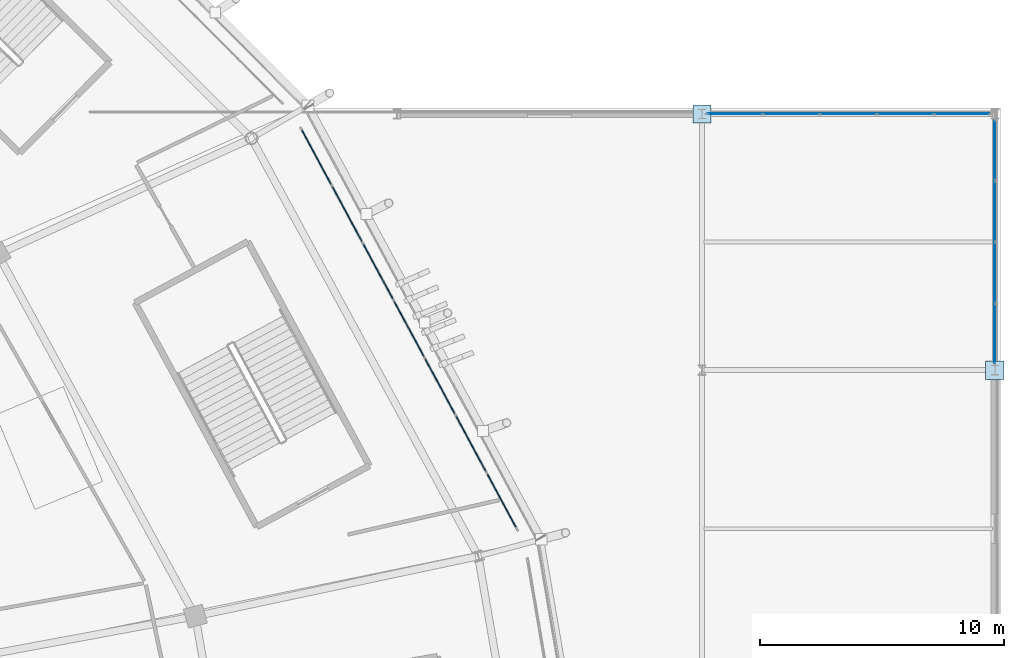
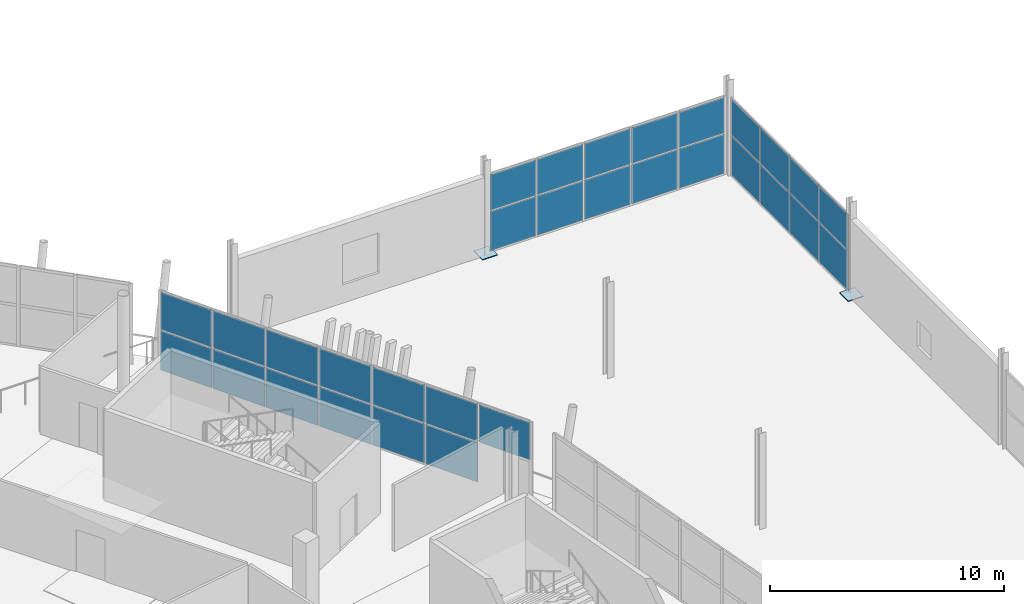
# One storey, part 99 of 179: 33 plates, 3 elements without a shape of their own.
"""IFC4 building model written with IfcOpenShell, lengths in metres."""

from ifc_helpers import new_model, si_unit, direction, frame, origin, origin_2d, place, context, subcontext, project, spatial, rectangle, extrude, material, layer, layer_set, type_object, element, aggregate, save


model = new_model("IFC4")

# Units and contexts
model_context = context("Model", 3, precision=1e-05, world=origin(), true_north=direction((0.0, 1.0)))
body_context = subcontext(model_context, "Body", "Model", "MODEL_VIEW")
ifc_project = project(units=[si_unit("LENGTHUNIT", "METRE"), si_unit("AREAUNIT", "SQUARE_METRE"), si_unit("VOLUMEUNIT", "CUBIC_METRE"), si_unit("PLANEANGLEUNIT", "RADIAN"), si_unit("MASSUNIT", "GRAM", prefix="KILO")], contexts=[model_context])

# Site, building, storey
site_placement = place(None, origin())
site = spatial("IfcSite", under=ifc_project, at=site_placement, CompositionType="ELEMENT")
building_placement = place(site_placement, origin())
building = spatial("IfcBuilding", under=site, at=building_placement, Name="Zlatoyarsky Gate Stadium", CompositionType="ELEMENT")
storey_placement = place(building_placement, frame((0.0, 0.0, 10.60009765625)))
storey = spatial("IfcBuildingStorey", under=building, at=storey_placement, Name="L02", CompositionType="ELEMENT", Elevation=10.60009765625)

# Plates
ifc_material_1 = material(Name="Steel S355", Category="steel")
ifc_layer_1 = layer(ifc_material_1, 0.0400390625)
ifc_layer_set_1 = layer_set([ifc_layer_1], Name="Steel S355")
plate_type_1 = type_object("IfcPlateType", Name="STEEL COLUMN BASE PLATE 40", PredefinedType="USERDEFINED", material=ifc_layer_set_1)
for number, where, z_axis, x_axis, name in (
    (1, (210.0, 116.5, 0.0), (0.0, 0.0, 1.0), (1.0, 0.0, 0.0), "Column base plate BP-01 at WG-18-L L02"),
    (2, (222.0, 106.0, 0.0), (0.0, 0.0, 1.0), (1.0, 0.0, 0.0), "Column base plate BP-01 at WG-19-K L02"),
):
    element("IfcPlate", number, at=place(storey_placement, frame(where, z_axis=z_axis, x_axis=x_axis)), inside=storey, type_object=plate_type_1, Name=name, ObjectType="BASE PLATE", PredefinedType="USERDEFINED", context=body_context, shape_type="SweptSolid", body=[
        extrude(rectangle(XDim=0.75, YDim=0.75, at=origin_2d()), origin(), (0.0, 0.0, 1.0), 0.0400390625),
    ])

# Curtain wall, plates
ifc_material_2 = material(Name="Thermally broken anodised aluminium curtain wall", Category="aluminium")
curtain_wall_type_1 = type_object("IfcCurtainWallType", Name="UNITISED HOSPITALITY GLAZING L02", PredefinedType="USERDEFINED", material=ifc_material_2)
curtain_wall_1_placement = place(storey_placement, origin())
curtain_wall_1 = element("IfcCurtainWall", 3, at=curtain_wall_1_placement, inside=storey, type_object=curtain_wall_type_1, Name="Curtain wall CW-L02-01", ObjectType="UNITISED GLAZING", PredefinedType="USERDEFINED")
ifc_material_3 = material(Name="Triple-glazed argon low-e architectural glass", Category="glass")
ifc_layer_2 = layer(ifc_material_3, 0.0380859375)
ifc_layer_set_2 = layer_set([ifc_layer_2], Name="Triple-glazed argon low-e architectural glass")
plate_type_2 = type_object("IfcPlateType", Name="TRIPLE GLAZED LOW E CURTAIN PANEL 38", PredefinedType="CURTAIN_PANEL", material=ifc_layer_set_2)
plate_1_placement = place(storey_placement, frame((201.7900390625, 100.6494140625, 2.1826171875), z_axis=(0.0, 0.0, 1.0), x_axis=(-0.474536449165, 0.880235853856, 0.0)))
plate_1 = element("IfcPlate", 4, at=plate_1_placement, type_object=plate_type_2, Name="CW-UG2 panel 1.2", PredefinedType="CURTAIN_PANEL", context=body_context, shape_type="SweptSolid", body=[
    extrude(rectangle(XDim=2.5732421875, YDim=0.0380859375, at=origin_2d()), origin(), (0.0, 0.0, 1.0), 1.952392578125),
])
plate_2_placement = place(storey_placement, frame((200.5302734375, 102.986083984375, 0.06494140625), z_axis=(0.0, 0.0, 1.0), x_axis=(-0.474536449165, 0.880235853856, 0.0)))
plate_2 = element("IfcPlate", 5, at=plate_2_placement, type_object=plate_type_2, Name="CW-UG2 panel 2.1", PredefinedType="CURTAIN_PANEL", context=body_context, shape_type="SweptSolid", body=[
    extrude(rectangle(XDim=2.605712890625, YDim=0.0380859375, at=origin_2d()), origin(), (0.0, 0.0, 1.0), 2.052490234375),
])
plate_3_placement = place(storey_placement, frame((200.5302734375, 102.986083984375, 2.1826171875), z_axis=(0.0, 0.0, 1.0), x_axis=(-0.474536449165, 0.880235853856, 0.0)))
plate_3 = element("IfcPlate", 6, at=plate_3_placement, type_object=plate_type_2, Name="CW-UG2 panel 2.2", PredefinedType="CURTAIN_PANEL", context=body_context, shape_type="SweptSolid", body=[
    extrude(rectangle(XDim=2.605712890625, YDim=0.0380859375, at=origin_2d()), origin(), (0.0, 0.0, 1.0), 1.952392578125),
])
plate_4_placement = place(storey_placement, frame((199.262939453125, 105.3369140625, 0.06494140625), z_axis=(0.0, 0.0, 1.0), x_axis=(-0.474536449165, 0.880235853856, 0.0)))
plate_4 = element("IfcPlate", 7, at=plate_4_placement, type_object=plate_type_2, Name="CW-UG2 panel 3.1", PredefinedType="CURTAIN_PANEL", context=body_context, shape_type="SweptSolid", body=[
    extrude(rectangle(XDim=2.605712890625, YDim=0.0380859375, at=origin_2d()), origin(), (0.0, 0.0, 1.0), 2.052490234375),
])
plate_5_placement = place(storey_placement, frame((199.262939453125, 105.3369140625, 2.1826171875), z_axis=(0.0, 0.0, 1.0), x_axis=(-0.474536449165, 0.880235853856, 0.0)))
plate_5 = element("IfcPlate", 8, at=plate_5_placement, type_object=plate_type_2, Name="CW-UG2 panel 3.2", PredefinedType="CURTAIN_PANEL", context=body_context, shape_type="SweptSolid", body=[
    extrude(rectangle(XDim=2.605712890625, YDim=0.0380859375, at=origin_2d()), origin(), (0.0, 0.0, 1.0), 1.952392578125),
])
plate_6_placement = place(storey_placement, frame((197.99560546875, 107.687744140625, 0.06494140625), z_axis=(0.0, 0.0, 1.0), x_axis=(-0.474536449165, 0.880235853856, 0.0)))
plate_6 = element("IfcPlate", 9, at=plate_6_placement, type_object=plate_type_2, Name="CW-UG2 panel 4.1", PredefinedType="CURTAIN_PANEL", context=body_context, shape_type="SweptSolid", body=[
    extrude(rectangle(XDim=2.605712890625, YDim=0.0380859375, at=origin_2d()), origin(), (0.0, 0.0, 1.0), 2.052490234375),
])
plate_7_placement = place(storey_placement, frame((197.99560546875, 107.687744140625, 2.1826171875), z_axis=(0.0, 0.0, 1.0), x_axis=(-0.474536449165, 0.880235853856, 0.0)))
plate_7 = element("IfcPlate", 10, at=plate_7_placement, type_object=plate_type_2, Name="CW-UG2 panel 4.2", PredefinedType="CURTAIN_PANEL", context=body_context, shape_type="SweptSolid", body=[
    extrude(rectangle(XDim=2.605712890625, YDim=0.0380859375, at=origin_2d()), origin(), (0.0, 0.0, 1.0), 1.952392578125),
])
plate_8_placement = place(storey_placement, frame((196.728271484375, 110.03857421875, 0.06494140625), z_axis=(0.0, 0.0, 1.0), x_axis=(-0.474536449165, 0.880235853856, 0.0)))
plate_8 = element("IfcPlate", 11, at=plate_8_placement, type_object=plate_type_2, Name="CW-UG2 panel 5.1", PredefinedType="CURTAIN_PANEL", context=body_context, shape_type="SweptSolid", body=[
    extrude(rectangle(XDim=2.605712890625, YDim=0.0380859375, at=origin_2d()), origin(), (0.0, 0.0, 1.0), 2.052490234375),
])
plate_9_placement = place(storey_placement, frame((196.728271484375, 110.03857421875, 2.1826171875), z_axis=(0.0, 0.0, 1.0), x_axis=(-0.474536449165, 0.880235853856, 0.0)))
plate_9 = element("IfcPlate", 12, at=plate_9_placement, type_object=plate_type_2, Name="CW-UG2 panel 5.2", PredefinedType="CURTAIN_PANEL", context=body_context, shape_type="SweptSolid", body=[
    extrude(rectangle(XDim=2.605712890625, YDim=0.0380859375, at=origin_2d()), origin(), (0.0, 0.0, 1.0), 1.952392578125),
])
plate_10_placement = place(storey_placement, frame((195.4609375, 112.389404296875, 0.06494140625), z_axis=(0.0, 0.0, 1.0), x_axis=(-0.474536449165, 0.880235853856, 0.0)))
plate_10 = element("IfcPlate", 13, at=plate_10_placement, type_object=plate_type_2, Name="CW-UG2 panel 6.1", PredefinedType="CURTAIN_PANEL", context=body_context, shape_type="SweptSolid", body=[
    extrude(rectangle(XDim=2.605712890625, YDim=0.0380859375, at=origin_2d()), origin(), (0.0, 0.0, 1.0), 2.052490234375),
])
plate_11_placement = place(storey_placement, frame((195.4609375, 112.389404296875, 2.1826171875), z_axis=(0.0, 0.0, 1.0), x_axis=(-0.474536449165, 0.880235853856, 0.0)))
plate_11 = element("IfcPlate", 14, at=plate_11_placement, type_object=plate_type_2, Name="CW-UG2 panel 6.2", PredefinedType="CURTAIN_PANEL", context=body_context, shape_type="SweptSolid", body=[
    extrude(rectangle(XDim=2.605712890625, YDim=0.0380859375, at=origin_2d()), origin(), (0.0, 0.0, 1.0), 1.952392578125),
])
plate_12_placement = place(storey_placement, frame((194.201171875, 114.72607421875, 0.06494140625), z_axis=(0.0, 0.0, 1.0), x_axis=(-0.474536449165, 0.880235853856, 0.0)))
plate_12 = element("IfcPlate", 15, at=plate_12_placement, type_object=plate_type_2, Name="CW-UG2 panel 7.1", PredefinedType="CURTAIN_PANEL", context=body_context, shape_type="SweptSolid", body=[
    extrude(rectangle(XDim=2.5732421875, YDim=0.0380859375, at=origin_2d()), origin(), (0.0, 0.0, 1.0), 2.052490234375),
])
plate_13_placement = place(storey_placement, frame((194.201171875, 114.72607421875, 2.1826171875), z_axis=(0.0, 0.0, 1.0), x_axis=(-0.474536449165, 0.880235853856, 0.0)))
plate_13 = element("IfcPlate", 16, at=plate_13_placement, type_object=plate_type_2, Name="CW-UG2 panel 7.2", PredefinedType="CURTAIN_PANEL", context=body_context, shape_type="SweptSolid", body=[
    extrude(rectangle(XDim=2.5732421875, YDim=0.0380859375, at=origin_2d()), origin(), (0.0, 0.0, 1.0), 1.952392578125),
])
aggregate(curtain_wall_1, [plate_1, plate_2, plate_3, plate_4, plate_5, plate_6, plate_7, plate_8, plate_9, plate_10, plate_11, plate_12, plate_13])

curtain_wall_type_2 = type_object("IfcCurtainWallType", Name="WINTER GARDEN CONSERVATORY GLAZING", PredefinedType="USERDEFINED", material=ifc_material_2)
curtain_wall_2_placement = place(storey_placement, origin())
curtain_wall_2 = element("IfcCurtainWall", 17, at=curtain_wall_2_placement, inside=storey, type_object=curtain_wall_type_2, Name="Curtain wall CW-V5_EAST-L02-185", ObjectType="UNITISED GLAZING", PredefinedType="USERDEFINED")
plate_14_placement = place(storey_placement, frame((222.0, 107.48779296875, 0.06494140625), z_axis=(0.0, 0.0, 1.0), x_axis=(0.0, 1.0, 0.0)))
plate_14 = element("IfcPlate", 18, at=plate_14_placement, type_object=plate_type_2, Name="CW-WG1 panel 1.1", PredefinedType="CURTAIN_PANEL", context=body_context, shape_type="SweptSolid", body=[
    extrude(rectangle(XDim=2.42138671875, YDim=0.0380859375, at=origin_2d()), origin(), (0.0, 0.0, 1.0), 2.052490234375),
])
plate_15_placement = place(storey_placement, frame((222.0, 107.48779296875, 2.182373046875), z_axis=(0.0, 0.0, 1.0), x_axis=(0.0, 1.0, 0.0)))
plate_15 = element("IfcPlate", 19, at=plate_15_placement, type_object=plate_type_2, Name="CW-WG1 panel 1.2", PredefinedType="CURTAIN_PANEL", context=body_context, shape_type="SweptSolid", body=[
    extrude(rectangle(XDim=2.42138671875, YDim=0.0380859375, at=origin_2d()), origin(), (0.0, 0.0, 1.0), 1.8525390625),
])
plate_16_placement = place(storey_placement, frame((222.0, 109.990478515625, 0.06494140625), z_axis=(0.0, 0.0, 1.0), x_axis=(0.0, 1.0, 0.0)))
plate_16 = element("IfcPlate", 20, at=plate_16_placement, type_object=plate_type_2, Name="CW-WG1 panel 2.1", PredefinedType="CURTAIN_PANEL", context=body_context, shape_type="SweptSolid", body=[
    extrude(rectangle(XDim=2.4541015625, YDim=0.0380859375, at=origin_2d()), origin(), (0.0, 0.0, 1.0), 2.052490234375),
])
plate_17_placement = place(storey_placement, frame((222.0, 109.990478515625, 2.182373046875), z_axis=(0.0, 0.0, 1.0), x_axis=(0.0, 1.0, 0.0)))
plate_17 = element("IfcPlate", 21, at=plate_17_placement, type_object=plate_type_2, Name="CW-WG1 panel 2.2", PredefinedType="CURTAIN_PANEL", context=body_context, shape_type="SweptSolid", body=[
    extrude(rectangle(XDim=2.4541015625, YDim=0.0380859375, at=origin_2d()), origin(), (0.0, 0.0, 1.0), 1.8525390625),
])
plate_18_placement = place(storey_placement, frame((222.0, 112.509521484375, 0.06494140625), z_axis=(0.0, 0.0, 1.0), x_axis=(0.0, 1.0, 0.0)))
plate_18 = element("IfcPlate", 22, at=plate_18_placement, type_object=plate_type_2, Name="CW-WG1 panel 3.1", PredefinedType="CURTAIN_PANEL", context=body_context, shape_type="SweptSolid", body=[
    extrude(rectangle(XDim=2.4541015625, YDim=0.0380859375, at=origin_2d()), origin(), (0.0, 0.0, 1.0), 2.052490234375),
])
plate_19_placement = place(storey_placement, frame((222.0, 112.509521484375, 2.182373046875), z_axis=(0.0, 0.0, 1.0), x_axis=(0.0, 1.0, 0.0)))
plate_19 = element("IfcPlate", 23, at=plate_19_placement, type_object=plate_type_2, Name="CW-WG1 panel 3.2", PredefinedType="CURTAIN_PANEL", context=body_context, shape_type="SweptSolid", body=[
    extrude(rectangle(XDim=2.4541015625, YDim=0.0380859375, at=origin_2d()), origin(), (0.0, 0.0, 1.0), 1.8525390625),
])
plate_20_placement = place(storey_placement, frame((222.0, 115.01220703125, 0.06494140625), z_axis=(0.0, 0.0, 1.0), x_axis=(0.0, 1.0, 0.0)))
plate_20 = element("IfcPlate", 24, at=plate_20_placement, type_object=plate_type_2, Name="CW-WG1 panel 4.1", PredefinedType="CURTAIN_PANEL", context=body_context, shape_type="SweptSolid", body=[
    extrude(rectangle(XDim=2.42138671875, YDim=0.0380859375, at=origin_2d()), origin(), (0.0, 0.0, 1.0), 2.052490234375),
])
plate_21_placement = place(storey_placement, frame((222.0, 115.01220703125, 2.182373046875), z_axis=(0.0, 0.0, 1.0), x_axis=(0.0, 1.0, 0.0)))
plate_21 = element("IfcPlate", 25, at=plate_21_placement, type_object=plate_type_2, Name="CW-WG1 panel 4.2", PredefinedType="CURTAIN_PANEL", context=body_context, shape_type="SweptSolid", body=[
    extrude(rectangle(XDim=2.42138671875, YDim=0.0380859375, at=origin_2d()), origin(), (0.0, 0.0, 1.0), 1.8525390625),
])
aggregate(curtain_wall_2, [plate_14, plate_15, plate_16, plate_17, plate_18, plate_19, plate_20, plate_21])

curtain_wall_3_placement = place(storey_placement, origin())
curtain_wall_3 = element("IfcCurtainWall", 26, at=curtain_wall_3_placement, inside=storey, type_object=curtain_wall_type_2, Name="Curtain wall CW-V5_EAST-L02-191", ObjectType="UNITISED GLAZING", PredefinedType="USERDEFINED")
plate_22_placement = place(storey_placement, frame((211.345947265625, 116.5, 0.06494140625), z_axis=(0.0, 0.0, 1.0), x_axis=(1.0, 0.0, 0.0)))
plate_22 = element("IfcPlate", 27, at=plate_22_placement, type_object=plate_type_2, Name="CW-WG1 panel 1.1", PredefinedType="CURTAIN_PANEL", context=body_context, shape_type="SweptSolid", body=[
    extrude(rectangle(XDim=2.23779296875, YDim=0.0380859375, at=origin_2d()), origin(), (0.0, 0.0, 1.0), 2.052490234375),
])
plate_23_placement = place(storey_placement, frame((211.345947265625, 116.5, 2.182373046875), z_axis=(0.0, 0.0, 1.0), x_axis=(1.0, 0.0, 0.0)))
plate_23 = element("IfcPlate", 28, at=plate_23_placement, type_object=plate_type_2, Name="CW-WG1 panel 1.2", PredefinedType="CURTAIN_PANEL", context=body_context, shape_type="SweptSolid", body=[
    extrude(rectangle(XDim=2.23779296875, YDim=0.0380859375, at=origin_2d()), origin(), (0.0, 0.0, 1.0), 1.8525390625),
])
plate_24_placement = place(storey_placement, frame((213.664794921875, 116.5, 0.06494140625), z_axis=(0.0, 0.0, 1.0), x_axis=(1.0, 0.0, 0.0)))
plate_24 = element("IfcPlate", 29, at=plate_24_placement, type_object=plate_type_2, Name="CW-WG1 panel 2.1", PredefinedType="CURTAIN_PANEL", context=body_context, shape_type="SweptSolid", body=[
    extrude(rectangle(XDim=2.270263671875, YDim=0.0380859375, at=origin_2d()), origin(), (0.0, 0.0, 1.0), 2.052490234375),
])
plate_25_placement = place(storey_placement, frame((213.664794921875, 116.5, 2.182373046875), z_axis=(0.0, 0.0, 1.0), x_axis=(1.0, 0.0, 0.0)))
plate_25 = element("IfcPlate", 30, at=plate_25_placement, type_object=plate_type_2, Name="CW-WG1 panel 2.2", PredefinedType="CURTAIN_PANEL", context=body_context, shape_type="SweptSolid", body=[
    extrude(rectangle(XDim=2.270263671875, YDim=0.0380859375, at=origin_2d()), origin(), (0.0, 0.0, 1.0), 1.8525390625),
])
plate_26_placement = place(storey_placement, frame((216.0, 116.5, 0.06494140625), z_axis=(0.0, 0.0, 1.0), x_axis=(1.0, 0.0, 0.0)))
plate_26 = element("IfcPlate", 31, at=plate_26_placement, type_object=plate_type_2, Name="CW-WG1 panel 3.1", PredefinedType="CURTAIN_PANEL", context=body_context, shape_type="SweptSolid", body=[
    extrude(rectangle(XDim=2.270263671875, YDim=0.0380859375, at=origin_2d()), origin(), (0.0, 0.0, 1.0), 2.052490234375),
])
plate_27_placement = place(storey_placement, frame((216.0, 116.5, 2.182373046875), z_axis=(0.0, 0.0, 1.0), x_axis=(1.0, 0.0, 0.0)))
plate_27 = element("IfcPlate", 32, at=plate_27_placement, type_object=plate_type_2, Name="CW-WG1 panel 3.2", PredefinedType="CURTAIN_PANEL", context=body_context, shape_type="SweptSolid", body=[
    extrude(rectangle(XDim=2.270263671875, YDim=0.0380859375, at=origin_2d()), origin(), (0.0, 0.0, 1.0), 1.8525390625),
])
plate_28_placement = place(storey_placement, frame((218.335205078125, 116.5, 0.06494140625), z_axis=(0.0, 0.0, 1.0), x_axis=(1.0, 0.0, 0.0)))
plate_28 = element("IfcPlate", 33, at=plate_28_placement, type_object=plate_type_2, Name="CW-WG1 panel 4.1", PredefinedType="CURTAIN_PANEL", context=body_context, shape_type="SweptSolid", body=[
    extrude(rectangle(XDim=2.270263671875, YDim=0.0380859375, at=origin_2d()), origin(), (0.0, 0.0, 1.0), 2.052490234375),
])
plate_29_placement = place(storey_placement, frame((218.335205078125, 116.5, 2.182373046875), z_axis=(0.0, 0.0, 1.0), x_axis=(1.0, 0.0, 0.0)))
plate_29 = element("IfcPlate", 34, at=plate_29_placement, type_object=plate_type_2, Name="CW-WG1 panel 4.2", PredefinedType="CURTAIN_PANEL", context=body_context, shape_type="SweptSolid", body=[
    extrude(rectangle(XDim=2.270263671875, YDim=0.0380859375, at=origin_2d()), origin(), (0.0, 0.0, 1.0), 1.8525390625),
])
plate_30_placement = place(storey_placement, frame((220.654052734375, 116.5, 0.06494140625), z_axis=(0.0, 0.0, 1.0), x_axis=(1.0, 0.0, 0.0)))
plate_30 = element("IfcPlate", 35, at=plate_30_placement, type_object=plate_type_2, Name="CW-WG1 panel 5.1", PredefinedType="CURTAIN_PANEL", context=body_context, shape_type="SweptSolid", body=[
    extrude(rectangle(XDim=2.23779296875, YDim=0.0380859375, at=origin_2d()), origin(), (0.0, 0.0, 1.0), 2.052490234375),
])
plate_31_placement = place(storey_placement, frame((220.654052734375, 116.5, 2.182373046875), z_axis=(0.0, 0.0, 1.0), x_axis=(1.0, 0.0, 0.0)))
plate_31 = element("IfcPlate", 36, at=plate_31_placement, type_object=plate_type_2, Name="CW-WG1 panel 5.2", PredefinedType="CURTAIN_PANEL", context=body_context, shape_type="SweptSolid", body=[
    extrude(rectangle(XDim=2.23779296875, YDim=0.0380859375, at=origin_2d()), origin(), (0.0, 0.0, 1.0), 1.8525390625),
])
aggregate(curtain_wall_3, [plate_22, plate_23, plate_24, plate_25, plate_26, plate_27, plate_28, plate_29, plate_30, plate_31])

save(model, "model.ifc")
